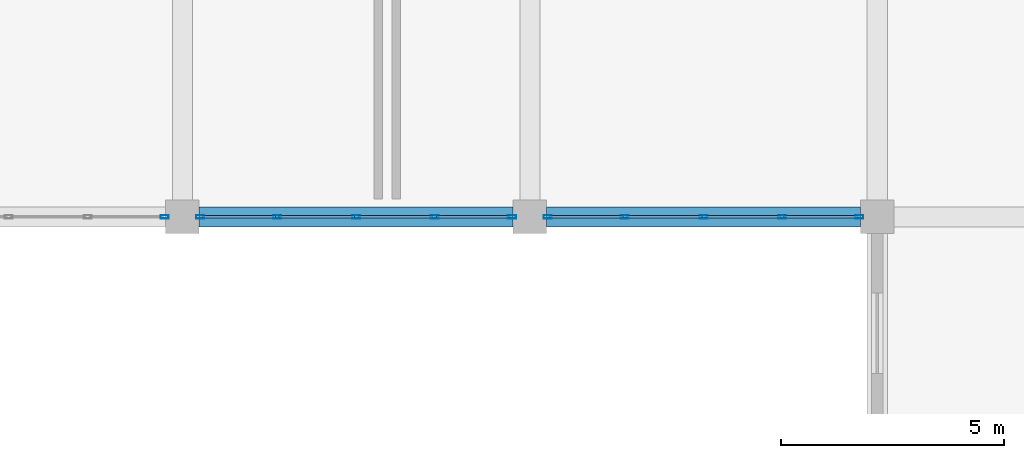
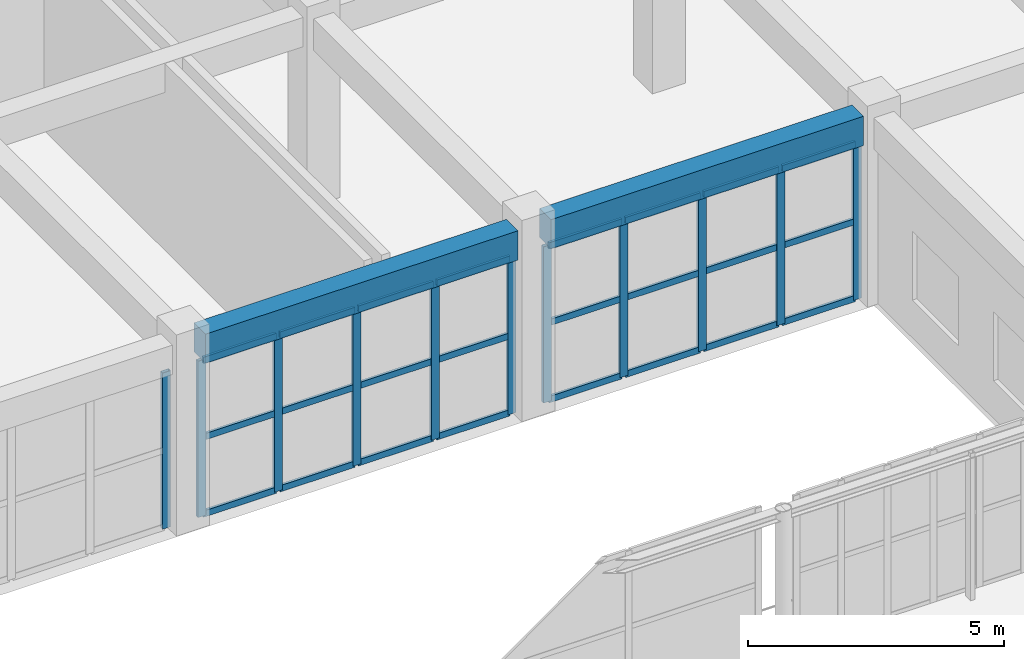
# One storey, part 80 of 167: 35 members, 2 beams, 3 elements without a shape of their own.
"""IFC4 building model written with IfcOpenShell, lengths in metres."""

from ifc_helpers import new_model, si_unit, direction, frame, origin, origin_2d, place, context, subcontext, project, spatial, rectangle, hollow_rectangle, extrude, material, layer, layer_set, material_profile, profile_set, type_object, element, aggregate, save


model = new_model("IFC4")

# Units and contexts
model_context = context("Model", 3, precision=1e-05, world=origin(), true_north=direction((0.0, 1.0)))
body_context = subcontext(model_context, "Body", "Model", "MODEL_VIEW")
ifc_project = project(units=[si_unit("LENGTHUNIT", "METRE"), si_unit("AREAUNIT", "SQUARE_METRE"), si_unit("VOLUMEUNIT", "CUBIC_METRE"), si_unit("PLANEANGLEUNIT", "RADIAN"), si_unit("MASSUNIT", "GRAM", prefix="KILO")], contexts=[model_context])

# Site, building, storey
site_placement = place(None, origin())
site = spatial("IfcSite", under=ifc_project, at=site_placement, CompositionType="ELEMENT")
building_placement = place(site_placement, origin())
building = spatial("IfcBuilding", under=site, at=building_placement, Name="Zizhar Promenade General Hospital", CompositionType="ELEMENT")
storey_placement = place(building_placement, frame((0.0, 0.0, 9.60009765625)))
storey = spatial("IfcBuildingStorey", under=building, at=storey_placement, Name="L02", CompositionType="ELEMENT", Elevation=9.60009765625)

# Beams
ifc_material_1 = material(Name="Concrete C35/45", Category="concrete")
ifc_material_profile_1 = material_profile(ifc_material_1, rectangle(XDim=0.449951171875, YDim=0.699951171875, at=origin_2d()))
ifc_profile_set_1 = profile_set([ifc_material_profile_1], Name="Concrete C35/45")
beam_type = type_object("IfcBeamType", Name="BM-RC-450x700", PredefinedType="BEAM", material=ifc_profile_set_1)
for number, where, z_axis, x_axis, name in (
    (1, (109.574951171875, 92.39990234375, 4.119873046875), (1.0, 0.0, 0.0), (0.0, 1.0, 0.0), "Grid Beam X L02 (14-11)"),
    (2, (117.375, 92.39990234375, 4.119873046875), (1.0, 0.0, 0.0), (0.0, 1.0, 0.0), "Grid Beam X L02 (15-11)"),
):
    element("IfcBeam", number, at=place(storey_placement, frame(where, z_axis=z_axis, x_axis=x_axis)), inside=storey, type_object=beam_type, Name=name, PredefinedType="BEAM", context=body_context, shape_type="SweptSolid", body=[
        extrude(rectangle(XDim=0.449951171875, YDim=0.699951171875, at=origin_2d()), origin(), (0.0, 0.0, 1.0), 7.050048828125),
    ])

# Curtain wall, member
ifc_material_2 = material(Name="Anodised aluminium 6063-T6 and low-E glass", Category="aluminium")
ifc_layer = layer(ifc_material_2, 0.159912109375)
ifc_layer_set = layer_set([ifc_layer], Name="Anodised aluminium 6063-T6 and low-E glass")
curtain_wall_type = type_object("IfcCurtainWallType", Name="CW-DT-MOD1", PredefinedType="NOTDEFINED", material=ifc_layer_set)
curtain_wall_1_placement = place(storey_placement, origin())
curtain_wall_1 = element("IfcCurtainWall", 3, at=curtain_wall_1_placement, inside=storey, type_object=curtain_wall_type, Name="Garden Court North Surgical Glazing L02-13", PredefinedType="NOTDEFINED")
ifc_material_3 = material(Name="Anodised aluminium 6063-T6", Category="aluminium")
ifc_material_profile_2 = material_profile(ifc_material_3, hollow_rectangle(XDim=0.080078125, YDim=0.179931640625, WallThickness=0.0048828125, at=origin_2d()))
ifc_profile_set_2 = profile_set([ifc_material_profile_2], Name="Anodised aluminium 6063-T6")
member_type_1 = type_object("IfcMemberType", Name="CWM-ALU-180x80", PredefinedType="MULLION", material=ifc_profile_set_2)
member_1_placement = place(storey_placement, frame((108.800048828125, 92.39990234375, 0.0), z_axis=(0.0, 0.0, 1.0), x_axis=(0.0, -1.0, 0.0)))
member_1 = element("IfcMember", 4, at=member_1_placement, type_object=member_type_1, Name="CW-07 mullion 1", PredefinedType="MULLION", context=body_context, shape_type="SweptSolid", body=[
    extrude(hollow_rectangle(XDim=0.080078125, YDim=0.179931640625, WallThickness=0.0048828125, at=origin_2d()), origin(), (0.0, 0.0, 1.0), 3.72998046875),
])
aggregate(curtain_wall_1, [member_1])

# Curtain wall, members
curtain_wall_2_placement = place(storey_placement, origin())
curtain_wall_2 = element("IfcCurtainWall", 5, at=curtain_wall_2_placement, inside=storey, type_object=curtain_wall_type, Name="Garden Court North Surgical Glazing L02-14", PredefinedType="NOTDEFINED")
member_2_placement = place(storey_placement, frame((116.60009765625, 92.39990234375, 0.0), z_axis=(0.0, 0.0, 1.0), x_axis=(0.0, -1.0, 0.0)))
member_2 = element("IfcMember", 6, at=member_2_placement, type_object=member_type_1, Name="CW-07 mullion 1", PredefinedType="MULLION", context=body_context, shape_type="SweptSolid", body=[
    extrude(hollow_rectangle(XDim=0.080078125, YDim=0.179931640625, WallThickness=0.0048828125, at=origin_2d()), origin(), (0.0, 0.0, 1.0), 3.72998046875),
])
member_3_placement = place(storey_placement, frame((114.8701171875, 92.39990234375, 0.0), z_axis=(0.0, 0.0, 1.0), x_axis=(0.0, -1.0, 0.0)))
member_3 = element("IfcMember", 7, at=member_3_placement, type_object=member_type_1, Name="CW-07 mullion 2", PredefinedType="MULLION", context=body_context, shape_type="SweptSolid", body=[
    extrude(hollow_rectangle(XDim=0.080078125, YDim=0.179931640625, WallThickness=0.0048828125, at=origin_2d()), origin(), (0.0, 0.0, 1.0), 3.72998046875),
])
member_4_placement = place(storey_placement, frame((113.10009765625, 92.39990234375, 0.0), z_axis=(0.0, 0.0, 1.0), x_axis=(0.0, -1.0, 0.0)))
member_4 = element("IfcMember", 8, at=member_4_placement, type_object=member_type_1, Name="CW-07 mullion 3", PredefinedType="MULLION", context=body_context, shape_type="SweptSolid", body=[
    extrude(hollow_rectangle(XDim=0.080078125, YDim=0.179931640625, WallThickness=0.0048828125, at=origin_2d()), origin(), (0.0, 0.0, 1.0), 3.72998046875),
])
member_5_placement = place(storey_placement, frame((111.330078125, 92.39990234375, 0.0), z_axis=(0.0, 0.0, 1.0), x_axis=(0.0, -1.0, 0.0)))
member_5 = element("IfcMember", 9, at=member_5_placement, type_object=member_type_1, Name="CW-07 mullion 4", PredefinedType="MULLION", context=body_context, shape_type="SweptSolid", body=[
    extrude(hollow_rectangle(XDim=0.080078125, YDim=0.179931640625, WallThickness=0.0048828125, at=origin_2d()), origin(), (0.0, 0.0, 1.0), 3.72998046875),
])
member_6_placement = place(storey_placement, frame((109.60009765625, 92.39990234375, 0.0), z_axis=(0.0, 0.0, 1.0), x_axis=(0.0, -1.0, 0.0)))
member_6 = element("IfcMember", 10, at=member_6_placement, type_object=member_type_1, Name="CW-07 mullion 5", PredefinedType="MULLION", context=body_context, shape_type="SweptSolid", body=[
    extrude(hollow_rectangle(XDim=0.080078125, YDim=0.179931640625, WallThickness=0.0048828125, at=origin_2d()), origin(), (0.0, 0.0, 1.0), 3.72998046875),
])

curtain_wall_3_placement = place(storey_placement, origin())
curtain_wall_3 = element("IfcCurtainWall", 11, at=curtain_wall_3_placement, inside=storey, type_object=curtain_wall_type, Name="Garden Court North Surgical Glazing L02-15", PredefinedType="NOTDEFINED")
member_7_placement = place(storey_placement, frame((124.39990234375, 92.39990234375, 0.0), z_axis=(0.0, 0.0, 1.0), x_axis=(0.0, -1.0, 0.0)))
member_7 = element("IfcMember", 12, at=member_7_placement, type_object=member_type_1, Name="CW-07 mullion 1", PredefinedType="MULLION", context=body_context, shape_type="SweptSolid", body=[
    extrude(hollow_rectangle(XDim=0.080078125, YDim=0.179931640625, WallThickness=0.0048828125, at=origin_2d()), origin(), (0.0, 0.0, 1.0), 3.72998046875),
])
member_8_placement = place(storey_placement, frame((122.669921875, 92.39990234375, 0.0), z_axis=(0.0, 0.0, 1.0), x_axis=(0.0, -1.0, 0.0)))
member_8 = element("IfcMember", 13, at=member_8_placement, type_object=member_type_1, Name="CW-07 mullion 2", PredefinedType="MULLION", context=body_context, shape_type="SweptSolid", body=[
    extrude(hollow_rectangle(XDim=0.080078125, YDim=0.179931640625, WallThickness=0.0048828125, at=origin_2d()), origin(), (0.0, 0.0, 1.0), 3.72998046875),
])
member_9_placement = place(storey_placement, frame((120.89990234375, 92.39990234375, 0.0), z_axis=(0.0, 0.0, 1.0), x_axis=(0.0, -1.0, 0.0)))
member_9 = element("IfcMember", 14, at=member_9_placement, type_object=member_type_1, Name="CW-07 mullion 3", PredefinedType="MULLION", context=body_context, shape_type="SweptSolid", body=[
    extrude(hollow_rectangle(XDim=0.080078125, YDim=0.179931640625, WallThickness=0.0048828125, at=origin_2d()), origin(), (0.0, 0.0, 1.0), 3.72998046875),
])
member_10_placement = place(storey_placement, frame((119.1298828125, 92.39990234375, 0.0), z_axis=(0.0, 0.0, 1.0), x_axis=(0.0, -1.0, 0.0)))
member_10 = element("IfcMember", 15, at=member_10_placement, type_object=member_type_1, Name="CW-07 mullion 4", PredefinedType="MULLION", context=body_context, shape_type="SweptSolid", body=[
    extrude(hollow_rectangle(XDim=0.080078125, YDim=0.179931640625, WallThickness=0.0048828125, at=origin_2d()), origin(), (0.0, 0.0, 1.0), 3.72998046875),
])
member_11_placement = place(storey_placement, frame((117.39990234375, 92.39990234375, 0.0), z_axis=(0.0, 0.0, 1.0), x_axis=(0.0, -1.0, 0.0)))
member_11 = element("IfcMember", 16, at=member_11_placement, type_object=member_type_1, Name="CW-07 mullion 5", PredefinedType="MULLION", context=body_context, shape_type="SweptSolid", body=[
    extrude(hollow_rectangle(XDim=0.080078125, YDim=0.179931640625, WallThickness=0.0048828125, at=origin_2d()), origin(), (0.0, 0.0, 1.0), 3.72998046875),
])

# Member
ifc_material_4 = material(Name="Anodised aluminium 6063-T6", Category="aluminium")
ifc_material_profile_3 = material_profile(ifc_material_4, hollow_rectangle(XDim=0.06005859375, YDim=0.14990234375, WallThickness=0.00390625, at=origin_2d()))
ifc_profile_set_3 = profile_set([ifc_material_profile_3], Name="Anodised aluminium 6063-T6")
member_type_2 = type_object("IfcMemberType", Name="CWT-ALU-150x60", PredefinedType="USERDEFINED", material=ifc_profile_set_3)
member_12_placement = place(storey_placement, frame((116.56005859375, 92.39990234375, 0.02978515625), z_axis=(-1.0, 0.0, 0.0), x_axis=(0.0, -1.0, 0.0)))
member_12 = element("IfcMember", 17, at=member_12_placement, type_object=member_type_2, Name="CW-07 transom 1.1", ObjectType="TRANSOM", PredefinedType="USERDEFINED", context=body_context, shape_type="SweptSolid", body=[
    extrude(hollow_rectangle(XDim=0.06005859375, YDim=0.14990234375, WallThickness=0.00390625, at=origin_2d()), origin(), (0.0, 0.0, 1.0), 1.650146484375),
])

member_13_placement = place(storey_placement, frame((116.56005859375, 92.39990234375, 1.864990234375), z_axis=(-1.0, 0.0, 0.0), x_axis=(0.0, -1.0, 0.0)))
member_13 = element("IfcMember", 18, at=member_13_placement, type_object=member_type_2, Name="CW-07 transom 1.2", ObjectType="TRANSOM", PredefinedType="USERDEFINED", context=body_context, shape_type="SweptSolid", body=[
    extrude(hollow_rectangle(XDim=0.06005859375, YDim=0.14990234375, WallThickness=0.00390625, at=origin_2d()), origin(), (0.0, 0.0, 1.0), 1.650146484375),
])

member_14_placement = place(storey_placement, frame((116.56005859375, 92.39990234375, 3.699951171875), z_axis=(-1.0, 0.0, 0.0), x_axis=(0.0, -1.0, 0.0)))
member_14 = element("IfcMember", 19, at=member_14_placement, type_object=member_type_2, Name="CW-07 transom 1.3", ObjectType="TRANSOM", PredefinedType="USERDEFINED", context=body_context, shape_type="SweptSolid", body=[
    extrude(hollow_rectangle(XDim=0.06005859375, YDim=0.14990234375, WallThickness=0.00390625, at=origin_2d()), origin(), (0.0, 0.0, 1.0), 1.650146484375),
])

member_15_placement = place(storey_placement, frame((114.830078125, 92.39990234375, 0.02978515625), z_axis=(-1.0, 0.0, 0.0), x_axis=(0.0, -1.0, 0.0)))
member_15 = element("IfcMember", 20, at=member_15_placement, type_object=member_type_2, Name="CW-07 transom 2.1", ObjectType="TRANSOM", PredefinedType="USERDEFINED", context=body_context, shape_type="SweptSolid", body=[
    extrude(hollow_rectangle(XDim=0.06005859375, YDim=0.14990234375, WallThickness=0.00390625, at=origin_2d()), origin(), (0.0, 0.0, 1.0), 1.690185546875),
])

member_16_placement = place(storey_placement, frame((114.830078125, 92.39990234375, 1.864990234375), z_axis=(-1.0, 0.0, 0.0), x_axis=(0.0, -1.0, 0.0)))
member_16 = element("IfcMember", 21, at=member_16_placement, type_object=member_type_2, Name="CW-07 transom 2.2", ObjectType="TRANSOM", PredefinedType="USERDEFINED", context=body_context, shape_type="SweptSolid", body=[
    extrude(hollow_rectangle(XDim=0.06005859375, YDim=0.14990234375, WallThickness=0.00390625, at=origin_2d()), origin(), (0.0, 0.0, 1.0), 1.690185546875),
])

member_17_placement = place(storey_placement, frame((114.830078125, 92.39990234375, 3.699951171875), z_axis=(-1.0, 0.0, 0.0), x_axis=(0.0, -1.0, 0.0)))
member_17 = element("IfcMember", 22, at=member_17_placement, type_object=member_type_2, Name="CW-07 transom 2.3", ObjectType="TRANSOM", PredefinedType="USERDEFINED", context=body_context, shape_type="SweptSolid", body=[
    extrude(hollow_rectangle(XDim=0.06005859375, YDim=0.14990234375, WallThickness=0.00390625, at=origin_2d()), origin(), (0.0, 0.0, 1.0), 1.690185546875),
])

member_18_placement = place(storey_placement, frame((113.06005859375, 92.39990234375, 0.02978515625), z_axis=(-1.0, 0.0, 0.0), x_axis=(0.0, -1.0, 0.0)))
member_18 = element("IfcMember", 23, at=member_18_placement, type_object=member_type_2, Name="CW-07 transom 3.1", ObjectType="TRANSOM", PredefinedType="USERDEFINED", context=body_context, shape_type="SweptSolid", body=[
    extrude(hollow_rectangle(XDim=0.06005859375, YDim=0.14990234375, WallThickness=0.00390625, at=origin_2d()), origin(), (0.0, 0.0, 1.0), 1.68994140625),
])

member_19_placement = place(storey_placement, frame((113.06005859375, 92.39990234375, 1.864990234375), z_axis=(-1.0, 0.0, 0.0), x_axis=(0.0, -1.0, 0.0)))
member_19 = element("IfcMember", 24, at=member_19_placement, type_object=member_type_2, Name="CW-07 transom 3.2", ObjectType="TRANSOM", PredefinedType="USERDEFINED", context=body_context, shape_type="SweptSolid", body=[
    extrude(hollow_rectangle(XDim=0.06005859375, YDim=0.14990234375, WallThickness=0.00390625, at=origin_2d()), origin(), (0.0, 0.0, 1.0), 1.68994140625),
])

member_20_placement = place(storey_placement, frame((113.06005859375, 92.39990234375, 3.699951171875), z_axis=(-1.0, 0.0, 0.0), x_axis=(0.0, -1.0, 0.0)))
member_20 = element("IfcMember", 25, at=member_20_placement, type_object=member_type_2, Name="CW-07 transom 3.3", ObjectType="TRANSOM", PredefinedType="USERDEFINED", context=body_context, shape_type="SweptSolid", body=[
    extrude(hollow_rectangle(XDim=0.06005859375, YDim=0.14990234375, WallThickness=0.00390625, at=origin_2d()), origin(), (0.0, 0.0, 1.0), 1.68994140625),
])

member_21_placement = place(storey_placement, frame((111.2900390625, 92.39990234375, 0.02978515625), z_axis=(-1.0, 0.0, 0.0), x_axis=(0.0, -1.0, 0.0)))
member_21 = element("IfcMember", 26, at=member_21_placement, type_object=member_type_2, Name="CW-07 transom 4.1", ObjectType="TRANSOM", PredefinedType="USERDEFINED", context=body_context, shape_type="SweptSolid", body=[
    extrude(hollow_rectangle(XDim=0.06005859375, YDim=0.14990234375, WallThickness=0.00390625, at=origin_2d()), origin(), (0.0, 0.0, 1.0), 1.650146484375),
])

member_22_placement = place(storey_placement, frame((111.2900390625, 92.39990234375, 1.864990234375), z_axis=(-1.0, 0.0, 0.0), x_axis=(0.0, -1.0, 0.0)))
member_22 = element("IfcMember", 27, at=member_22_placement, type_object=member_type_2, Name="CW-07 transom 4.2", ObjectType="TRANSOM", PredefinedType="USERDEFINED", context=body_context, shape_type="SweptSolid", body=[
    extrude(hollow_rectangle(XDim=0.06005859375, YDim=0.14990234375, WallThickness=0.00390625, at=origin_2d()), origin(), (0.0, 0.0, 1.0), 1.650146484375),
])

member_23_placement = place(storey_placement, frame((111.2900390625, 92.39990234375, 3.699951171875), z_axis=(-1.0, 0.0, 0.0), x_axis=(0.0, -1.0, 0.0)))
member_23 = element("IfcMember", 28, at=member_23_placement, type_object=member_type_2, Name="CW-07 transom 4.3", ObjectType="TRANSOM", PredefinedType="USERDEFINED", context=body_context, shape_type="SweptSolid", body=[
    extrude(hollow_rectangle(XDim=0.06005859375, YDim=0.14990234375, WallThickness=0.00390625, at=origin_2d()), origin(), (0.0, 0.0, 1.0), 1.650146484375),
])

aggregate(curtain_wall_2, [member_2, member_3, member_4, member_5, member_6, member_12, member_13, member_14, member_15, member_16, member_17, member_18, member_19, member_20, member_21, member_22, member_23])

member_24_placement = place(storey_placement, frame((124.360107421875, 92.39990234375, 0.02978515625), z_axis=(-1.0, 0.0, 0.0), x_axis=(0.0, -1.0, 0.0)))
member_24 = element("IfcMember", 29, at=member_24_placement, type_object=member_type_2, Name="CW-07 transom 1.1", ObjectType="TRANSOM", PredefinedType="USERDEFINED", context=body_context, shape_type="SweptSolid", body=[
    extrude(hollow_rectangle(XDim=0.06005859375, YDim=0.14990234375, WallThickness=0.00390625, at=origin_2d()), origin(), (0.0, 0.0, 1.0), 1.650146484375),
])

member_25_placement = place(storey_placement, frame((124.360107421875, 92.39990234375, 1.864990234375), z_axis=(-1.0, 0.0, 0.0), x_axis=(0.0, -1.0, 0.0)))
member_25 = element("IfcMember", 30, at=member_25_placement, type_object=member_type_2, Name="CW-07 transom 1.2", ObjectType="TRANSOM", PredefinedType="USERDEFINED", context=body_context, shape_type="SweptSolid", body=[
    extrude(hollow_rectangle(XDim=0.06005859375, YDim=0.14990234375, WallThickness=0.00390625, at=origin_2d()), origin(), (0.0, 0.0, 1.0), 1.650146484375),
])

member_26_placement = place(storey_placement, frame((124.360107421875, 92.39990234375, 3.699951171875), z_axis=(-1.0, 0.0, 0.0), x_axis=(0.0, -1.0, 0.0)))
member_26 = element("IfcMember", 31, at=member_26_placement, type_object=member_type_2, Name="CW-07 transom 1.3", ObjectType="TRANSOM", PredefinedType="USERDEFINED", context=body_context, shape_type="SweptSolid", body=[
    extrude(hollow_rectangle(XDim=0.06005859375, YDim=0.14990234375, WallThickness=0.00390625, at=origin_2d()), origin(), (0.0, 0.0, 1.0), 1.650146484375),
])

member_27_placement = place(storey_placement, frame((122.6298828125, 92.39990234375, 0.02978515625), z_axis=(-1.0, 0.0, 0.0), x_axis=(0.0, -1.0, 0.0)))
member_27 = element("IfcMember", 32, at=member_27_placement, type_object=member_type_2, Name="CW-07 transom 2.1", ObjectType="TRANSOM", PredefinedType="USERDEFINED", context=body_context, shape_type="SweptSolid", body=[
    extrude(hollow_rectangle(XDim=0.06005859375, YDim=0.14990234375, WallThickness=0.00390625, at=origin_2d()), origin(), (0.0, 0.0, 1.0), 1.68994140625),
])

member_28_placement = place(storey_placement, frame((122.6298828125, 92.39990234375, 1.864990234375), z_axis=(-1.0, 0.0, 0.0), x_axis=(0.0, -1.0, 0.0)))
member_28 = element("IfcMember", 33, at=member_28_placement, type_object=member_type_2, Name="CW-07 transom 2.2", ObjectType="TRANSOM", PredefinedType="USERDEFINED", context=body_context, shape_type="SweptSolid", body=[
    extrude(hollow_rectangle(XDim=0.06005859375, YDim=0.14990234375, WallThickness=0.00390625, at=origin_2d()), origin(), (0.0, 0.0, 1.0), 1.68994140625),
])

member_29_placement = place(storey_placement, frame((122.6298828125, 92.39990234375, 3.699951171875), z_axis=(-1.0, 0.0, 0.0), x_axis=(0.0, -1.0, 0.0)))
member_29 = element("IfcMember", 34, at=member_29_placement, type_object=member_type_2, Name="CW-07 transom 2.3", ObjectType="TRANSOM", PredefinedType="USERDEFINED", context=body_context, shape_type="SweptSolid", body=[
    extrude(hollow_rectangle(XDim=0.06005859375, YDim=0.14990234375, WallThickness=0.00390625, at=origin_2d()), origin(), (0.0, 0.0, 1.0), 1.68994140625),
])

member_30_placement = place(storey_placement, frame((120.860107421875, 92.39990234375, 0.02978515625), z_axis=(-1.0, 0.0, 0.0), x_axis=(0.0, -1.0, 0.0)))
member_30 = element("IfcMember", 35, at=member_30_placement, type_object=member_type_2, Name="CW-07 transom 3.1", ObjectType="TRANSOM", PredefinedType="USERDEFINED", context=body_context, shape_type="SweptSolid", body=[
    extrude(hollow_rectangle(XDim=0.06005859375, YDim=0.14990234375, WallThickness=0.00390625, at=origin_2d()), origin(), (0.0, 0.0, 1.0), 1.690185546875),
])

member_31_placement = place(storey_placement, frame((120.860107421875, 92.39990234375, 1.864990234375), z_axis=(-1.0, 0.0, 0.0), x_axis=(0.0, -1.0, 0.0)))
member_31 = element("IfcMember", 36, at=member_31_placement, type_object=member_type_2, Name="CW-07 transom 3.2", ObjectType="TRANSOM", PredefinedType="USERDEFINED", context=body_context, shape_type="SweptSolid", body=[
    extrude(hollow_rectangle(XDim=0.06005859375, YDim=0.14990234375, WallThickness=0.00390625, at=origin_2d()), origin(), (0.0, 0.0, 1.0), 1.690185546875),
])

member_32_placement = place(storey_placement, frame((120.860107421875, 92.39990234375, 3.699951171875), z_axis=(-1.0, 0.0, 0.0), x_axis=(0.0, -1.0, 0.0)))
member_32 = element("IfcMember", 37, at=member_32_placement, type_object=member_type_2, Name="CW-07 transom 3.3", ObjectType="TRANSOM", PredefinedType="USERDEFINED", context=body_context, shape_type="SweptSolid", body=[
    extrude(hollow_rectangle(XDim=0.06005859375, YDim=0.14990234375, WallThickness=0.00390625, at=origin_2d()), origin(), (0.0, 0.0, 1.0), 1.690185546875),
])

member_33_placement = place(storey_placement, frame((119.090087890625, 92.39990234375, 0.02978515625), z_axis=(-1.0, 0.0, 0.0), x_axis=(0.0, -1.0, 0.0)))
member_33 = element("IfcMember", 38, at=member_33_placement, type_object=member_type_2, Name="CW-07 transom 4.1", ObjectType="TRANSOM", PredefinedType="USERDEFINED", context=body_context, shape_type="SweptSolid", body=[
    extrude(hollow_rectangle(XDim=0.06005859375, YDim=0.14990234375, WallThickness=0.00390625, at=origin_2d()), origin(), (0.0, 0.0, 1.0), 1.650146484375),
])

member_34_placement = place(storey_placement, frame((119.090087890625, 92.39990234375, 1.864990234375), z_axis=(-1.0, 0.0, 0.0), x_axis=(0.0, -1.0, 0.0)))
member_34 = element("IfcMember", 39, at=member_34_placement, type_object=member_type_2, Name="CW-07 transom 4.2", ObjectType="TRANSOM", PredefinedType="USERDEFINED", context=body_context, shape_type="SweptSolid", body=[
    extrude(hollow_rectangle(XDim=0.06005859375, YDim=0.14990234375, WallThickness=0.00390625, at=origin_2d()), origin(), (0.0, 0.0, 1.0), 1.650146484375),
])

member_35_placement = place(storey_placement, frame((119.090087890625, 92.39990234375, 3.699951171875), z_axis=(-1.0, 0.0, 0.0), x_axis=(0.0, -1.0, 0.0)))
member_35 = element("IfcMember", 40, at=member_35_placement, type_object=member_type_2, Name="CW-07 transom 4.3", ObjectType="TRANSOM", PredefinedType="USERDEFINED", context=body_context, shape_type="SweptSolid", body=[
    extrude(hollow_rectangle(XDim=0.06005859375, YDim=0.14990234375, WallThickness=0.00390625, at=origin_2d()), origin(), (0.0, 0.0, 1.0), 1.650146484375),
])

aggregate(curtain_wall_3, [member_7, member_8, member_9, member_10, member_11, member_24, member_25, member_26, member_27, member_28, member_29, member_30, member_31, member_32, member_33, member_34, member_35])

save(model, "model.ifc")
